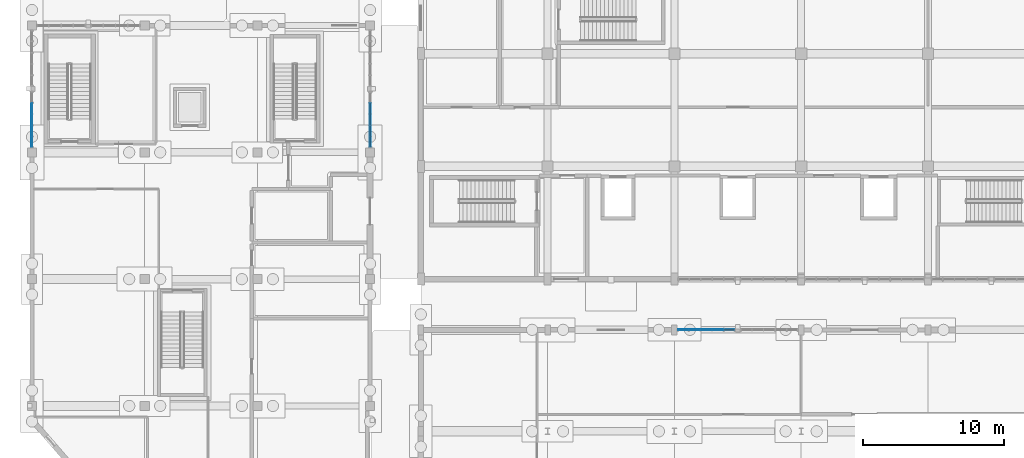
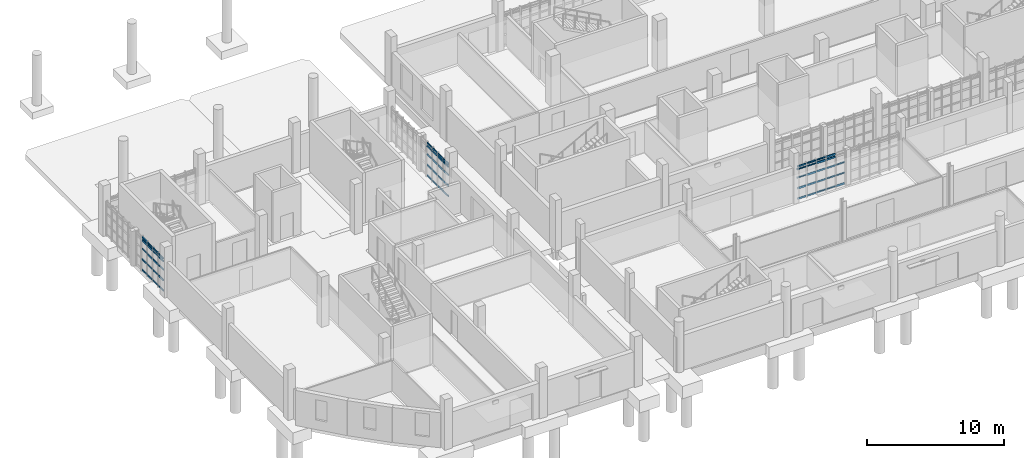
# One storey, part 21 of 63: 63 members, 3 elements without a shape of their own.
"""IFC4 building model written with IfcOpenShell, lengths in metres."""

from ifc_helpers import new_model, si_unit, direction, frame, origin, origin_2d, place, context, subcontext, project, spatial, rectangle, extrude, material, material_profile, profile_set, type_object, element, aggregate, save


model = new_model("IFC4")

# Units and contexts
model_context = context("Model", 3, precision=1e-05, world=origin(), true_north=direction((0.0, 1.0)))
body_context = subcontext(model_context, "Body", "Model", "MODEL_VIEW")
ifc_project = project(units=[si_unit("LENGTHUNIT", "METRE"), si_unit("AREAUNIT", "SQUARE_METRE"), si_unit("VOLUMEUNIT", "CUBIC_METRE"), si_unit("PLANEANGLEUNIT", "RADIAN"), si_unit("MASSUNIT", "GRAM", prefix="KILO")], contexts=[model_context])

# Site, building, storey
site_placement = place(None, origin())
site = spatial("IfcSite", under=ifc_project, at=site_placement, CompositionType="ELEMENT")
building_placement = place(site_placement, origin())
building = spatial("IfcBuilding", under=site, at=building_placement, Name="Serraforn Aerial Cableway Station", CompositionType="ELEMENT")
storey_placement = place(building_placement, origin())
storey = spatial("IfcBuildingStorey", under=building, at=storey_placement, Name="L00", CompositionType="ELEMENT", Elevation=0.0)

# Curtain wall, members
ifc_material_1 = material(Name="Anodised bronze unitised curtain wall")
curtain_wall_type_1 = type_object("IfcCurtainWallType", Name="CW-SYS-8", PredefinedType="USERDEFINED", material=ifc_material_1)
curtain_wall_1_placement = place(storey_placement, origin())
curtain_wall_1 = element("IfcCurtainWall", 1, at=curtain_wall_1_placement, inside=storey, type_object=curtain_wall_type_1, Name="Unitised Curtain Wall CW-W-L00-W4B", ObjectType="UNITISED CURTAIN WALL", PredefinedType="USERDEFINED")
ifc_material_2 = material(Name="Anodised bronze extruded aluminium", Category="aluminium")
ifc_material_profile_1 = material_profile(ifc_material_2, rectangle(XDim=0.054931640625, YDim=0.110107421875, at=origin_2d()), Name="CW TRANSOM 55x110")
ifc_profile_set_1 = profile_set([ifc_material_profile_1], Name="Anodised bronze extruded aluminium")
member_type_1 = type_object("IfcMemberType", Name="CW-TRN-1", PredefinedType="USERDEFINED", material=ifc_profile_set_1)
member_1_placement = place(storey_placement, frame((0.0, 30.485107421875, 0.124755859375), z_axis=(0.0, -1.0, 0.0), x_axis=(1.0, 0.0, 0.0)))
member_1 = element("IfcMember", 2, at=member_1_placement, type_object=member_type_1, Name="Curtain Wall Transom CW-W-L00-W4B-T2-1", ObjectType="TRANSOM", PredefinedType="USERDEFINED", context=body_context, shape_type="SweptSolid", body=[
    extrude(rectangle(XDim=0.054931640625, YDim=0.110107421875, at=origin_2d()), origin(), (0.0, 0.0, 1.0), 0.738525390625),
])
member_2_placement = place(storey_placement, frame((0.0, 29.69580078125, 2.9951171875), z_axis=(0.0, -1.0, 0.0), x_axis=(1.0, 0.0, 0.0)))
member_2 = element("IfcMember", 3, at=member_2_placement, type_object=member_type_1, Name="Curtain Wall Transom CW-W-L00-W4B-T3-5", ObjectType="TRANSOM", PredefinedType="USERDEFINED", context=body_context, shape_type="SweptSolid", body=[
    extrude(rectangle(XDim=0.054931640625, YDim=0.110107421875, at=origin_2d()), origin(), (0.0, 0.0, 1.0), 0.74609375),
])
member_3_placement = place(storey_placement, frame((0.0, 28.893798828125, 2.74560546875), z_axis=(0.0, -1.0, 0.0), x_axis=(1.0, 0.0, 0.0)))
member_3 = element("IfcMember", 4, at=member_3_placement, type_object=member_type_1, Name="Curtain Wall Transom CW-W-L00-W4B-T4-4", ObjectType="TRANSOM", PredefinedType="USERDEFINED", context=body_context, shape_type="SweptSolid", body=[
    extrude(rectangle(XDim=0.054931640625, YDim=0.110107421875, at=origin_2d()), origin(), (0.0, 0.0, 1.0), 0.740966796875),
])
member_4_placement = place(storey_placement, frame((0.0, 28.091796875, 1.996826171875), z_axis=(0.0, -1.0, 0.0), x_axis=(1.0, 0.0, 0.0)))
member_4 = element("IfcMember", 5, at=member_4_placement, type_object=member_type_1, Name="Curtain Wall Transom CW-W-L00-W4B-T5-3", ObjectType="TRANSOM", PredefinedType="USERDEFINED", context=body_context, shape_type="SweptSolid", body=[
    extrude(rectangle(XDim=0.054931640625, YDim=0.110107421875, at=origin_2d()), origin(), (0.0, 0.0, 1.0), 0.70068359375),
])

curtain_wall_type_2 = type_object("IfcCurtainWallType", Name="CW-SYS-9", PredefinedType="USERDEFINED", material=ifc_material_1)
curtain_wall_2_placement = place(storey_placement, origin())
curtain_wall_2 = element("IfcCurtainWall", 6, at=curtain_wall_2_placement, inside=storey, type_object=curtain_wall_type_2, Name="Unitised Curtain Wall CW-W-L00-E4A", ObjectType="UNITISED CURTAIN WALL", PredefinedType="USERDEFINED")
member_5_placement = place(storey_placement, frame((24.0, 27.39599609375, 0.124755859375), z_axis=(0.0, 1.0, 0.0), x_axis=(-1.0, 0.0, 0.0)))
member_5 = element("IfcMember", 7, at=member_5_placement, type_object=member_type_1, Name="Curtain Wall Transom CW-W-L00-E4A-T1-1", ObjectType="TRANSOM", PredefinedType="USERDEFINED", context=body_context, shape_type="SweptSolid", body=[
    extrude(rectangle(XDim=0.054931640625, YDim=0.110107421875, at=origin_2d()), origin(), (0.0, 0.0, 1.0), 0.700927734375),
])
member_6_placement = place(storey_placement, frame((24.0, 28.14794921875, 2.9951171875), z_axis=(0.0, 1.0, 0.0), x_axis=(-1.0, 0.0, 0.0)))
member_6 = element("IfcMember", 8, at=member_6_placement, type_object=member_type_1, Name="Curtain Wall Transom CW-W-L00-E4A-T2-5", ObjectType="TRANSOM", PredefinedType="USERDEFINED", context=body_context, shape_type="SweptSolid", body=[
    extrude(rectangle(XDim=0.054931640625, YDim=0.110107421875, at=origin_2d()), origin(), (0.0, 0.0, 1.0), 0.745849609375),
])
member_7_placement = place(storey_placement, frame((24.0, 28.94970703125, 2.74560546875), z_axis=(0.0, 1.0, 0.0), x_axis=(-1.0, 0.0, 0.0)))
member_7 = element("IfcMember", 9, at=member_7_placement, type_object=member_type_1, Name="Curtain Wall Transom CW-W-L00-E4A-T3-4", ObjectType="TRANSOM", PredefinedType="USERDEFINED", context=body_context, shape_type="SweptSolid", body=[
    extrude(rectangle(XDim=0.054931640625, YDim=0.110107421875, at=origin_2d()), origin(), (0.0, 0.0, 1.0), 0.740966796875),
])
member_8_placement = place(storey_placement, frame((24.0, 29.751708984375, 1.996826171875), z_axis=(0.0, 1.0, 0.0), x_axis=(-1.0, 0.0, 0.0)))
member_8 = element("IfcMember", 10, at=member_8_placement, type_object=member_type_1, Name="Curtain Wall Transom CW-W-L00-E4A-T4-3", ObjectType="TRANSOM", PredefinedType="USERDEFINED", context=body_context, shape_type="SweptSolid", body=[
    extrude(rectangle(XDim=0.054931640625, YDim=0.110107421875, at=origin_2d()), origin(), (0.0, 0.0, 1.0), 0.73583984375),
])

curtain_wall_type_3 = type_object("IfcCurtainWallType", Name="CW-SYS-20", PredefinedType="USERDEFINED", material=ifc_material_1)
curtain_wall_3_placement = place(storey_placement, origin())
curtain_wall_3 = element("IfcCurtainWall", 11, at=curtain_wall_3_placement, inside=storey, type_object=curtain_wall_type_3, Name="Unitised Curtain Wall CW-CF-L00-N3B", ObjectType="UNITISED CURTAIN WALL", PredefinedType="USERDEFINED")
member_9_placement = place(storey_placement, frame((49.85205078125, 14.39990234375, 1.060791015625), z_axis=(-1.0, 0.0, 0.0), x_axis=(0.0, -1.0, 0.0)))
member_9 = element("IfcMember", 12, at=member_9_placement, type_object=member_type_1, Name="Curtain Wall Transom CW-CF-L00-N3B-T1-2", ObjectType="TRANSOM", PredefinedType="USERDEFINED", context=body_context, shape_type="SweptSolid", body=[
    extrude(rectangle(XDim=0.054931640625, YDim=0.110107421875, at=origin_2d()), origin(), (0.0, 0.0, 1.0), 0.720947265625),
])
member_10_placement = place(storey_placement, frame((49.06005859375, 14.39990234375, 0.124755859375), z_axis=(-1.0, 0.0, 0.0), x_axis=(0.0, -1.0, 0.0)))
member_10 = element("IfcMember", 13, at=member_10_placement, type_object=member_type_1, Name="Curtain Wall Transom CW-CF-L00-N3B-T2-1", ObjectType="TRANSOM", PredefinedType="USERDEFINED", context=body_context, shape_type="SweptSolid", body=[
    extrude(rectangle(XDim=0.054931640625, YDim=0.110107421875, at=origin_2d()), origin(), (0.0, 0.0, 1.0), 0.763427734375),
])
member_11_placement = place(storey_placement, frame((48.24560546875, 14.39990234375, 2.9951171875), z_axis=(-1.0, 0.0, 0.0), x_axis=(0.0, -1.0, 0.0)))
member_11 = element("IfcMember", 14, at=member_11_placement, type_object=member_type_1, Name="Curtain Wall Transom CW-CF-L00-N3B-T3-5", ObjectType="TRANSOM", PredefinedType="USERDEFINED", context=body_context, shape_type="SweptSolid", body=[
    extrude(rectangle(XDim=0.054931640625, YDim=0.110107421875, at=origin_2d()), origin(), (0.0, 0.0, 1.0), 0.770751953125),
])
member_12_placement = place(storey_placement, frame((47.418701171875, 14.39990234375, 2.74560546875), z_axis=(-1.0, 0.0, 0.0), x_axis=(0.0, -1.0, 0.0)))
member_12 = element("IfcMember", 15, at=member_12_placement, type_object=member_type_1, Name="Curtain Wall Transom CW-CF-L00-N3B-T4-4", ObjectType="TRANSOM", PredefinedType="USERDEFINED", context=body_context, shape_type="SweptSolid", body=[
    extrude(rectangle(XDim=0.054931640625, YDim=0.110107421875, at=origin_2d()), origin(), (0.0, 0.0, 1.0), 0.765869140625),
])
member_13_placement = place(storey_placement, frame((46.591796875, 14.39990234375, 1.996826171875), z_axis=(-1.0, 0.0, 0.0), x_axis=(0.0, -1.0, 0.0)))
member_13 = element("IfcMember", 16, at=member_13_placement, type_object=member_type_1, Name="Curtain Wall Transom CW-CF-L00-N3B-T5-3", ObjectType="TRANSOM", PredefinedType="USERDEFINED", context=body_context, shape_type="SweptSolid", body=[
    extrude(rectangle(XDim=0.054931640625, YDim=0.110107421875, at=origin_2d()), origin(), (0.0, 0.0, 1.0), 0.725830078125),
])

# Member
ifc_material_profile_2 = material_profile(ifc_material_2, rectangle(XDim=0.06005859375, YDim=0.1201171875, at=origin_2d()), Name="CW TRANSOM 60x120")
ifc_profile_set_2 = profile_set([ifc_material_profile_2], Name="Anodised bronze extruded aluminium")
member_type_2 = type_object("IfcMemberType", Name="CW-TRN-2", PredefinedType="USERDEFINED", material=ifc_profile_set_2)
member_14_placement = place(storey_placement, frame((0.0, 30.485107421875, 1.060791015625), z_axis=(0.0, -1.0, 0.0), x_axis=(1.0, 0.0, 0.0)))
member_14 = element("IfcMember", 17, at=member_14_placement, type_object=member_type_2, Name="Curtain Wall Transom CW-W-L00-W4B-T2-2", ObjectType="TRANSOM", PredefinedType="USERDEFINED", context=body_context, shape_type="SweptSolid", body=[
    extrude(rectangle(XDim=0.06005859375, YDim=0.1201171875, at=origin_2d()), origin(), (0.0, 0.0, 1.0), 0.738525390625),
])

member_15_placement = place(storey_placement, frame((0.0, 29.69580078125, 0.124755859375), z_axis=(0.0, -1.0, 0.0), x_axis=(1.0, 0.0, 0.0)))
member_15 = element("IfcMember", 18, at=member_15_placement, type_object=member_type_2, Name="Curtain Wall Transom CW-W-L00-W4B-T3-1", ObjectType="TRANSOM", PredefinedType="USERDEFINED", context=body_context, shape_type="SweptSolid", body=[
    extrude(rectangle(XDim=0.06005859375, YDim=0.1201171875, at=origin_2d()), origin(), (0.0, 0.0, 1.0), 0.74609375),
])

member_16_placement = place(storey_placement, frame((0.0, 28.893798828125, 2.9951171875), z_axis=(0.0, -1.0, 0.0), x_axis=(1.0, 0.0, 0.0)))
member_16 = element("IfcMember", 19, at=member_16_placement, type_object=member_type_2, Name="Curtain Wall Transom CW-W-L00-W4B-T4-5", ObjectType="TRANSOM", PredefinedType="USERDEFINED", context=body_context, shape_type="SweptSolid", body=[
    extrude(rectangle(XDim=0.06005859375, YDim=0.1201171875, at=origin_2d()), origin(), (0.0, 0.0, 1.0), 0.740966796875),
])

member_17_placement = place(storey_placement, frame((0.0, 28.091796875, 2.74560546875), z_axis=(0.0, -1.0, 0.0), x_axis=(1.0, 0.0, 0.0)))
member_17 = element("IfcMember", 20, at=member_17_placement, type_object=member_type_2, Name="Curtain Wall Transom CW-W-L00-W4B-T5-4", ObjectType="TRANSOM", PredefinedType="USERDEFINED", context=body_context, shape_type="SweptSolid", body=[
    extrude(rectangle(XDim=0.06005859375, YDim=0.1201171875, at=origin_2d()), origin(), (0.0, 0.0, 1.0), 0.70068359375),
])

member_18_placement = place(storey_placement, frame((24.0, 27.39599609375, 1.060791015625), z_axis=(0.0, 1.0, 0.0), x_axis=(-1.0, 0.0, 0.0)))
member_18 = element("IfcMember", 21, at=member_18_placement, type_object=member_type_2, Name="Curtain Wall Transom CW-W-L00-E4A-T1-2", ObjectType="TRANSOM", PredefinedType="USERDEFINED", context=body_context, shape_type="SweptSolid", body=[
    extrude(rectangle(XDim=0.06005859375, YDim=0.1201171875, at=origin_2d()), origin(), (0.0, 0.0, 1.0), 0.700927734375),
])

member_19_placement = place(storey_placement, frame((24.0, 28.14794921875, 0.124755859375), z_axis=(0.0, 1.0, 0.0), x_axis=(-1.0, 0.0, 0.0)))
member_19 = element("IfcMember", 22, at=member_19_placement, type_object=member_type_2, Name="Curtain Wall Transom CW-W-L00-E4A-T2-1", ObjectType="TRANSOM", PredefinedType="USERDEFINED", context=body_context, shape_type="SweptSolid", body=[
    extrude(rectangle(XDim=0.06005859375, YDim=0.1201171875, at=origin_2d()), origin(), (0.0, 0.0, 1.0), 0.745849609375),
])

member_20_placement = place(storey_placement, frame((24.0, 28.94970703125, 2.9951171875), z_axis=(0.0, 1.0, 0.0), x_axis=(-1.0, 0.0, 0.0)))
member_20 = element("IfcMember", 23, at=member_20_placement, type_object=member_type_2, Name="Curtain Wall Transom CW-W-L00-E4A-T3-5", ObjectType="TRANSOM", PredefinedType="USERDEFINED", context=body_context, shape_type="SweptSolid", body=[
    extrude(rectangle(XDim=0.06005859375, YDim=0.1201171875, at=origin_2d()), origin(), (0.0, 0.0, 1.0), 0.740966796875),
])

member_21_placement = place(storey_placement, frame((24.0, 29.751708984375, 2.74560546875), z_axis=(0.0, 1.0, 0.0), x_axis=(-1.0, 0.0, 0.0)))
member_21 = element("IfcMember", 24, at=member_21_placement, type_object=member_type_2, Name="Curtain Wall Transom CW-W-L00-E4A-T4-4", ObjectType="TRANSOM", PredefinedType="USERDEFINED", context=body_context, shape_type="SweptSolid", body=[
    extrude(rectangle(XDim=0.06005859375, YDim=0.1201171875, at=origin_2d()), origin(), (0.0, 0.0, 1.0), 0.73583984375),
])

member_22_placement = place(storey_placement, frame((49.85205078125, 14.39990234375, 1.996826171875), z_axis=(-1.0, 0.0, 0.0), x_axis=(0.0, -1.0, 0.0)))
member_22 = element("IfcMember", 25, at=member_22_placement, type_object=member_type_2, Name="Curtain Wall Transom CW-CF-L00-N3B-T1-3", ObjectType="TRANSOM", PredefinedType="USERDEFINED", context=body_context, shape_type="SweptSolid", body=[
    extrude(rectangle(XDim=0.06005859375, YDim=0.1201171875, at=origin_2d()), origin(), (0.0, 0.0, 1.0), 0.720947265625),
])

member_23_placement = place(storey_placement, frame((49.06005859375, 14.39990234375, 1.060791015625), z_axis=(-1.0, 0.0, 0.0), x_axis=(0.0, -1.0, 0.0)))
member_23 = element("IfcMember", 26, at=member_23_placement, type_object=member_type_2, Name="Curtain Wall Transom CW-CF-L00-N3B-T2-2", ObjectType="TRANSOM", PredefinedType="USERDEFINED", context=body_context, shape_type="SweptSolid", body=[
    extrude(rectangle(XDim=0.06005859375, YDim=0.1201171875, at=origin_2d()), origin(), (0.0, 0.0, 1.0), 0.763427734375),
])

member_24_placement = place(storey_placement, frame((48.24560546875, 14.39990234375, 0.124755859375), z_axis=(-1.0, 0.0, 0.0), x_axis=(0.0, -1.0, 0.0)))
member_24 = element("IfcMember", 27, at=member_24_placement, type_object=member_type_2, Name="Curtain Wall Transom CW-CF-L00-N3B-T3-1", ObjectType="TRANSOM", PredefinedType="USERDEFINED", context=body_context, shape_type="SweptSolid", body=[
    extrude(rectangle(XDim=0.06005859375, YDim=0.1201171875, at=origin_2d()), origin(), (0.0, 0.0, 1.0), 0.770751953125),
])

member_25_placement = place(storey_placement, frame((47.418701171875, 14.39990234375, 2.9951171875), z_axis=(-1.0, 0.0, 0.0), x_axis=(0.0, -1.0, 0.0)))
member_25 = element("IfcMember", 28, at=member_25_placement, type_object=member_type_2, Name="Curtain Wall Transom CW-CF-L00-N3B-T4-5", ObjectType="TRANSOM", PredefinedType="USERDEFINED", context=body_context, shape_type="SweptSolid", body=[
    extrude(rectangle(XDim=0.06005859375, YDim=0.1201171875, at=origin_2d()), origin(), (0.0, 0.0, 1.0), 0.765869140625),
])

member_26_placement = place(storey_placement, frame((46.591796875, 14.39990234375, 2.74560546875), z_axis=(-1.0, 0.0, 0.0), x_axis=(0.0, -1.0, 0.0)))
member_26 = element("IfcMember", 29, at=member_26_placement, type_object=member_type_2, Name="Curtain Wall Transom CW-CF-L00-N3B-T5-4", ObjectType="TRANSOM", PredefinedType="USERDEFINED", context=body_context, shape_type="SweptSolid", body=[
    extrude(rectangle(XDim=0.06005859375, YDim=0.1201171875, at=origin_2d()), origin(), (0.0, 0.0, 1.0), 0.725830078125),
])

ifc_material_profile_3 = material_profile(ifc_material_2, rectangle(XDim=0.06494140625, YDim=0.135009765625, at=origin_2d()), Name="CW TRANSOM 65x135")
ifc_profile_set_3 = profile_set([ifc_material_profile_3], Name="Anodised bronze extruded aluminium")
member_type_3 = type_object("IfcMemberType", Name="CW-TRN-3", PredefinedType="USERDEFINED", material=ifc_profile_set_3)
member_27_placement = place(storey_placement, frame((0.0, 30.485107421875, 1.996826171875), z_axis=(0.0, -1.0, 0.0), x_axis=(1.0, 0.0, 0.0)))
member_27 = element("IfcMember", 30, at=member_27_placement, type_object=member_type_3, Name="Curtain Wall Transom CW-W-L00-W4B-T2-3", ObjectType="TRANSOM", PredefinedType="USERDEFINED", context=body_context, shape_type="SweptSolid", body=[
    extrude(rectangle(XDim=0.06494140625, YDim=0.135009765625, at=origin_2d()), origin(), (0.0, 0.0, 1.0), 0.738525390625),
])

member_28_placement = place(storey_placement, frame((0.0, 29.69580078125, 1.060791015625), z_axis=(0.0, -1.0, 0.0), x_axis=(1.0, 0.0, 0.0)))
member_28 = element("IfcMember", 31, at=member_28_placement, type_object=member_type_3, Name="Curtain Wall Transom CW-W-L00-W4B-T3-2", ObjectType="TRANSOM", PredefinedType="USERDEFINED", context=body_context, shape_type="SweptSolid", body=[
    extrude(rectangle(XDim=0.06494140625, YDim=0.135009765625, at=origin_2d()), origin(), (0.0, 0.0, 1.0), 0.74609375),
])

member_29_placement = place(storey_placement, frame((0.0, 28.893798828125, 0.124755859375), z_axis=(0.0, -1.0, 0.0), x_axis=(1.0, 0.0, 0.0)))
member_29 = element("IfcMember", 32, at=member_29_placement, type_object=member_type_3, Name="Curtain Wall Transom CW-W-L00-W4B-T4-1", ObjectType="TRANSOM", PredefinedType="USERDEFINED", context=body_context, shape_type="SweptSolid", body=[
    extrude(rectangle(XDim=0.06494140625, YDim=0.135009765625, at=origin_2d()), origin(), (0.0, 0.0, 1.0), 0.740966796875),
])

member_30_placement = place(storey_placement, frame((0.0, 28.091796875, 2.9951171875), z_axis=(0.0, -1.0, 0.0), x_axis=(1.0, 0.0, 0.0)))
member_30 = element("IfcMember", 33, at=member_30_placement, type_object=member_type_3, Name="Curtain Wall Transom CW-W-L00-W4B-T5-5", ObjectType="TRANSOM", PredefinedType="USERDEFINED", context=body_context, shape_type="SweptSolid", body=[
    extrude(rectangle(XDim=0.06494140625, YDim=0.135009765625, at=origin_2d()), origin(), (0.0, 0.0, 1.0), 0.70068359375),
])

member_31_placement = place(storey_placement, frame((24.0, 27.39599609375, 1.996826171875), z_axis=(0.0, 1.0, 0.0), x_axis=(-1.0, 0.0, 0.0)))
member_31 = element("IfcMember", 34, at=member_31_placement, type_object=member_type_3, Name="Curtain Wall Transom CW-W-L00-E4A-T1-3", ObjectType="TRANSOM", PredefinedType="USERDEFINED", context=body_context, shape_type="SweptSolid", body=[
    extrude(rectangle(XDim=0.06494140625, YDim=0.135009765625, at=origin_2d()), origin(), (0.0, 0.0, 1.0), 0.700927734375),
])

member_32_placement = place(storey_placement, frame((24.0, 28.14794921875, 1.060791015625), z_axis=(0.0, 1.0, 0.0), x_axis=(-1.0, 0.0, 0.0)))
member_32 = element("IfcMember", 35, at=member_32_placement, type_object=member_type_3, Name="Curtain Wall Transom CW-W-L00-E4A-T2-2", ObjectType="TRANSOM", PredefinedType="USERDEFINED", context=body_context, shape_type="SweptSolid", body=[
    extrude(rectangle(XDim=0.06494140625, YDim=0.135009765625, at=origin_2d()), origin(), (0.0, 0.0, 1.0), 0.745849609375),
])

member_33_placement = place(storey_placement, frame((24.0, 28.94970703125, 0.124755859375), z_axis=(0.0, 1.0, 0.0), x_axis=(-1.0, 0.0, 0.0)))
member_33 = element("IfcMember", 36, at=member_33_placement, type_object=member_type_3, Name="Curtain Wall Transom CW-W-L00-E4A-T3-1", ObjectType="TRANSOM", PredefinedType="USERDEFINED", context=body_context, shape_type="SweptSolid", body=[
    extrude(rectangle(XDim=0.06494140625, YDim=0.135009765625, at=origin_2d()), origin(), (0.0, 0.0, 1.0), 0.740966796875),
])

member_34_placement = place(storey_placement, frame((24.0, 29.751708984375, 2.9951171875), z_axis=(0.0, 1.0, 0.0), x_axis=(-1.0, 0.0, 0.0)))
member_34 = element("IfcMember", 37, at=member_34_placement, type_object=member_type_3, Name="Curtain Wall Transom CW-W-L00-E4A-T4-5", ObjectType="TRANSOM", PredefinedType="USERDEFINED", context=body_context, shape_type="SweptSolid", body=[
    extrude(rectangle(XDim=0.06494140625, YDim=0.135009765625, at=origin_2d()), origin(), (0.0, 0.0, 1.0), 0.73583984375),
])

member_35_placement = place(storey_placement, frame((49.06005859375, 14.39990234375, 1.996826171875), z_axis=(-1.0, 0.0, 0.0), x_axis=(0.0, -1.0, 0.0)))
member_35 = element("IfcMember", 38, at=member_35_placement, type_object=member_type_3, Name="Curtain Wall Transom CW-CF-L00-N3B-T2-3", ObjectType="TRANSOM", PredefinedType="USERDEFINED", context=body_context, shape_type="SweptSolid", body=[
    extrude(rectangle(XDim=0.06494140625, YDim=0.135009765625, at=origin_2d()), origin(), (0.0, 0.0, 1.0), 0.763427734375),
])

member_36_placement = place(storey_placement, frame((48.24560546875, 14.39990234375, 1.060791015625), z_axis=(-1.0, 0.0, 0.0), x_axis=(0.0, -1.0, 0.0)))
member_36 = element("IfcMember", 39, at=member_36_placement, type_object=member_type_3, Name="Curtain Wall Transom CW-CF-L00-N3B-T3-2", ObjectType="TRANSOM", PredefinedType="USERDEFINED", context=body_context, shape_type="SweptSolid", body=[
    extrude(rectangle(XDim=0.06494140625, YDim=0.135009765625, at=origin_2d()), origin(), (0.0, 0.0, 1.0), 0.770751953125),
])

member_37_placement = place(storey_placement, frame((47.418701171875, 14.39990234375, 0.124755859375), z_axis=(-1.0, 0.0, 0.0), x_axis=(0.0, -1.0, 0.0)))
member_37 = element("IfcMember", 40, at=member_37_placement, type_object=member_type_3, Name="Curtain Wall Transom CW-CF-L00-N3B-T4-1", ObjectType="TRANSOM", PredefinedType="USERDEFINED", context=body_context, shape_type="SweptSolid", body=[
    extrude(rectangle(XDim=0.06494140625, YDim=0.135009765625, at=origin_2d()), origin(), (0.0, 0.0, 1.0), 0.765869140625),
])

member_38_placement = place(storey_placement, frame((46.591796875, 14.39990234375, 2.9951171875), z_axis=(-1.0, 0.0, 0.0), x_axis=(0.0, -1.0, 0.0)))
member_38 = element("IfcMember", 41, at=member_38_placement, type_object=member_type_3, Name="Curtain Wall Transom CW-CF-L00-N3B-T5-5", ObjectType="TRANSOM", PredefinedType="USERDEFINED", context=body_context, shape_type="SweptSolid", body=[
    extrude(rectangle(XDim=0.06494140625, YDim=0.135009765625, at=origin_2d()), origin(), (0.0, 0.0, 1.0), 0.725830078125),
])

ifc_material_profile_4 = material_profile(ifc_material_2, rectangle(XDim=0.070068359375, YDim=0.14990234375, at=origin_2d()), Name="CW TRANSOM 70x150")
ifc_profile_set_4 = profile_set([ifc_material_profile_4], Name="Anodised bronze extruded aluminium")
member_type_4 = type_object("IfcMemberType", Name="CW-TRN-4", PredefinedType="USERDEFINED", material=ifc_profile_set_4)
member_39_placement = place(storey_placement, frame((0.0, 30.485107421875, 2.74560546875), z_axis=(0.0, -1.0, 0.0), x_axis=(1.0, 0.0, 0.0)))
member_39 = element("IfcMember", 42, at=member_39_placement, type_object=member_type_4, Name="Curtain Wall Transom CW-W-L00-W4B-T2-4", ObjectType="TRANSOM", PredefinedType="USERDEFINED", context=body_context, shape_type="SweptSolid", body=[
    extrude(rectangle(XDim=0.070068359375, YDim=0.14990234375, at=origin_2d()), origin(), (0.0, 0.0, 1.0), 0.738525390625),
])

member_40_placement = place(storey_placement, frame((0.0, 29.69580078125, 1.996826171875), z_axis=(0.0, -1.0, 0.0), x_axis=(1.0, 0.0, 0.0)))
member_40 = element("IfcMember", 43, at=member_40_placement, type_object=member_type_4, Name="Curtain Wall Transom CW-W-L00-W4B-T3-3", ObjectType="TRANSOM", PredefinedType="USERDEFINED", context=body_context, shape_type="SweptSolid", body=[
    extrude(rectangle(XDim=0.070068359375, YDim=0.14990234375, at=origin_2d()), origin(), (0.0, 0.0, 1.0), 0.74609375),
])

member_41_placement = place(storey_placement, frame((0.0, 28.893798828125, 1.060791015625), z_axis=(0.0, -1.0, 0.0), x_axis=(1.0, 0.0, 0.0)))
member_41 = element("IfcMember", 44, at=member_41_placement, type_object=member_type_4, Name="Curtain Wall Transom CW-W-L00-W4B-T4-2", ObjectType="TRANSOM", PredefinedType="USERDEFINED", context=body_context, shape_type="SweptSolid", body=[
    extrude(rectangle(XDim=0.070068359375, YDim=0.14990234375, at=origin_2d()), origin(), (0.0, 0.0, 1.0), 0.740966796875),
])

member_42_placement = place(storey_placement, frame((0.0, 28.091796875, 0.124755859375), z_axis=(0.0, -1.0, 0.0), x_axis=(1.0, 0.0, 0.0)))
member_42 = element("IfcMember", 45, at=member_42_placement, type_object=member_type_4, Name="Curtain Wall Transom CW-W-L00-W4B-T5-1", ObjectType="TRANSOM", PredefinedType="USERDEFINED", context=body_context, shape_type="SweptSolid", body=[
    extrude(rectangle(XDim=0.070068359375, YDim=0.14990234375, at=origin_2d()), origin(), (0.0, 0.0, 1.0), 0.70068359375),
])

member_43_placement = place(storey_placement, frame((24.0, 27.39599609375, 2.74560546875), z_axis=(0.0, 1.0, 0.0), x_axis=(-1.0, 0.0, 0.0)))
member_43 = element("IfcMember", 46, at=member_43_placement, type_object=member_type_4, Name="Curtain Wall Transom CW-W-L00-E4A-T1-4", ObjectType="TRANSOM", PredefinedType="USERDEFINED", context=body_context, shape_type="SweptSolid", body=[
    extrude(rectangle(XDim=0.070068359375, YDim=0.14990234375, at=origin_2d()), origin(), (0.0, 0.0, 1.0), 0.700927734375),
])

member_44_placement = place(storey_placement, frame((24.0, 28.14794921875, 1.996826171875), z_axis=(0.0, 1.0, 0.0), x_axis=(-1.0, 0.0, 0.0)))
member_44 = element("IfcMember", 47, at=member_44_placement, type_object=member_type_4, Name="Curtain Wall Transom CW-W-L00-E4A-T2-3", ObjectType="TRANSOM", PredefinedType="USERDEFINED", context=body_context, shape_type="SweptSolid", body=[
    extrude(rectangle(XDim=0.070068359375, YDim=0.14990234375, at=origin_2d()), origin(), (0.0, 0.0, 1.0), 0.745849609375),
])

member_45_placement = place(storey_placement, frame((24.0, 28.94970703125, 1.060791015625), z_axis=(0.0, 1.0, 0.0), x_axis=(-1.0, 0.0, 0.0)))
member_45 = element("IfcMember", 48, at=member_45_placement, type_object=member_type_4, Name="Curtain Wall Transom CW-W-L00-E4A-T3-2", ObjectType="TRANSOM", PredefinedType="USERDEFINED", context=body_context, shape_type="SweptSolid", body=[
    extrude(rectangle(XDim=0.070068359375, YDim=0.14990234375, at=origin_2d()), origin(), (0.0, 0.0, 1.0), 0.740966796875),
])

member_46_placement = place(storey_placement, frame((24.0, 29.751708984375, 0.124755859375), z_axis=(0.0, 1.0, 0.0), x_axis=(-1.0, 0.0, 0.0)))
member_46 = element("IfcMember", 49, at=member_46_placement, type_object=member_type_4, Name="Curtain Wall Transom CW-W-L00-E4A-T4-1", ObjectType="TRANSOM", PredefinedType="USERDEFINED", context=body_context, shape_type="SweptSolid", body=[
    extrude(rectangle(XDim=0.070068359375, YDim=0.14990234375, at=origin_2d()), origin(), (0.0, 0.0, 1.0), 0.73583984375),
])

member_47_placement = place(storey_placement, frame((49.06005859375, 14.39990234375, 2.74560546875), z_axis=(-1.0, 0.0, 0.0), x_axis=(0.0, -1.0, 0.0)))
member_47 = element("IfcMember", 50, at=member_47_placement, type_object=member_type_4, Name="Curtain Wall Transom CW-CF-L00-N3B-T2-4", ObjectType="TRANSOM", PredefinedType="USERDEFINED", context=body_context, shape_type="SweptSolid", body=[
    extrude(rectangle(XDim=0.070068359375, YDim=0.14990234375, at=origin_2d()), origin(), (0.0, 0.0, 1.0), 0.763427734375),
])

member_48_placement = place(storey_placement, frame((48.24560546875, 14.39990234375, 1.996826171875), z_axis=(-1.0, 0.0, 0.0), x_axis=(0.0, -1.0, 0.0)))
member_48 = element("IfcMember", 51, at=member_48_placement, type_object=member_type_4, Name="Curtain Wall Transom CW-CF-L00-N3B-T3-3", ObjectType="TRANSOM", PredefinedType="USERDEFINED", context=body_context, shape_type="SweptSolid", body=[
    extrude(rectangle(XDim=0.070068359375, YDim=0.14990234375, at=origin_2d()), origin(), (0.0, 0.0, 1.0), 0.770751953125),
])

member_49_placement = place(storey_placement, frame((47.418701171875, 14.39990234375, 1.060791015625), z_axis=(-1.0, 0.0, 0.0), x_axis=(0.0, -1.0, 0.0)))
member_49 = element("IfcMember", 52, at=member_49_placement, type_object=member_type_4, Name="Curtain Wall Transom CW-CF-L00-N3B-T4-2", ObjectType="TRANSOM", PredefinedType="USERDEFINED", context=body_context, shape_type="SweptSolid", body=[
    extrude(rectangle(XDim=0.070068359375, YDim=0.14990234375, at=origin_2d()), origin(), (0.0, 0.0, 1.0), 0.765869140625),
])

member_50_placement = place(storey_placement, frame((46.591796875, 14.39990234375, 0.124755859375), z_axis=(-1.0, 0.0, 0.0), x_axis=(0.0, -1.0, 0.0)))
member_50 = element("IfcMember", 53, at=member_50_placement, type_object=member_type_4, Name="Curtain Wall Transom CW-CF-L00-N3B-T5-1", ObjectType="TRANSOM", PredefinedType="USERDEFINED", context=body_context, shape_type="SweptSolid", body=[
    extrude(rectangle(XDim=0.070068359375, YDim=0.14990234375, at=origin_2d()), origin(), (0.0, 0.0, 1.0), 0.725830078125),
])

ifc_material_profile_5 = material_profile(ifc_material_2, rectangle(XDim=0.074951171875, YDim=0.1650390625, at=origin_2d()), Name="CW TRANSOM 75x165")
ifc_profile_set_5 = profile_set([ifc_material_profile_5], Name="Anodised bronze extruded aluminium")
member_type_5 = type_object("IfcMemberType", Name="CW-TRN-5", PredefinedType="USERDEFINED", material=ifc_profile_set_5)
member_51_placement = place(storey_placement, frame((0.0, 30.485107421875, 2.9951171875), z_axis=(0.0, -1.0, 0.0), x_axis=(1.0, 0.0, 0.0)))
member_51 = element("IfcMember", 54, at=member_51_placement, type_object=member_type_5, Name="Curtain Wall Transom CW-W-L00-W4B-T2-5", ObjectType="TRANSOM", PredefinedType="USERDEFINED", context=body_context, shape_type="SweptSolid", body=[
    extrude(rectangle(XDim=0.074951171875, YDim=0.1650390625, at=origin_2d()), origin(), (0.0, 0.0, 1.0), 0.738525390625),
])

member_52_placement = place(storey_placement, frame((0.0, 29.69580078125, 2.74560546875), z_axis=(0.0, -1.0, 0.0), x_axis=(1.0, 0.0, 0.0)))
member_52 = element("IfcMember", 55, at=member_52_placement, type_object=member_type_5, Name="Curtain Wall Transom CW-W-L00-W4B-T3-4", ObjectType="TRANSOM", PredefinedType="USERDEFINED", context=body_context, shape_type="SweptSolid", body=[
    extrude(rectangle(XDim=0.074951171875, YDim=0.1650390625, at=origin_2d()), origin(), (0.0, 0.0, 1.0), 0.74609375),
])

member_53_placement = place(storey_placement, frame((0.0, 28.893798828125, 1.996826171875), z_axis=(0.0, -1.0, 0.0), x_axis=(1.0, 0.0, 0.0)))
member_53 = element("IfcMember", 56, at=member_53_placement, type_object=member_type_5, Name="Curtain Wall Transom CW-W-L00-W4B-T4-3", ObjectType="TRANSOM", PredefinedType="USERDEFINED", context=body_context, shape_type="SweptSolid", body=[
    extrude(rectangle(XDim=0.074951171875, YDim=0.1650390625, at=origin_2d()), origin(), (0.0, 0.0, 1.0), 0.740966796875),
])

member_54_placement = place(storey_placement, frame((0.0, 28.091796875, 1.060791015625), z_axis=(0.0, -1.0, 0.0), x_axis=(1.0, 0.0, 0.0)))
member_54 = element("IfcMember", 57, at=member_54_placement, type_object=member_type_5, Name="Curtain Wall Transom CW-W-L00-W4B-T5-2", ObjectType="TRANSOM", PredefinedType="USERDEFINED", context=body_context, shape_type="SweptSolid", body=[
    extrude(rectangle(XDim=0.074951171875, YDim=0.1650390625, at=origin_2d()), origin(), (0.0, 0.0, 1.0), 0.70068359375),
])

aggregate(curtain_wall_1, [member_1, member_14, member_27, member_39, member_51, member_15, member_28, member_40, member_52, member_2, member_29, member_41, member_53, member_3, member_16, member_42, member_54, member_4, member_17, member_30])

member_55_placement = place(storey_placement, frame((24.0, 27.39599609375, 2.9951171875), z_axis=(0.0, 1.0, 0.0), x_axis=(-1.0, 0.0, 0.0)))
member_55 = element("IfcMember", 58, at=member_55_placement, type_object=member_type_5, Name="Curtain Wall Transom CW-W-L00-E4A-T1-5", ObjectType="TRANSOM", PredefinedType="USERDEFINED", context=body_context, shape_type="SweptSolid", body=[
    extrude(rectangle(XDim=0.074951171875, YDim=0.1650390625, at=origin_2d()), origin(), (0.0, 0.0, 1.0), 0.700927734375),
])

member_56_placement = place(storey_placement, frame((24.0, 28.14794921875, 2.74560546875), z_axis=(0.0, 1.0, 0.0), x_axis=(-1.0, 0.0, 0.0)))
member_56 = element("IfcMember", 59, at=member_56_placement, type_object=member_type_5, Name="Curtain Wall Transom CW-W-L00-E4A-T2-4", ObjectType="TRANSOM", PredefinedType="USERDEFINED", context=body_context, shape_type="SweptSolid", body=[
    extrude(rectangle(XDim=0.074951171875, YDim=0.1650390625, at=origin_2d()), origin(), (0.0, 0.0, 1.0), 0.745849609375),
])

member_57_placement = place(storey_placement, frame((24.0, 28.94970703125, 1.996826171875), z_axis=(0.0, 1.0, 0.0), x_axis=(-1.0, 0.0, 0.0)))
member_57 = element("IfcMember", 60, at=member_57_placement, type_object=member_type_5, Name="Curtain Wall Transom CW-W-L00-E4A-T3-3", ObjectType="TRANSOM", PredefinedType="USERDEFINED", context=body_context, shape_type="SweptSolid", body=[
    extrude(rectangle(XDim=0.074951171875, YDim=0.1650390625, at=origin_2d()), origin(), (0.0, 0.0, 1.0), 0.740966796875),
])

member_58_placement = place(storey_placement, frame((24.0, 29.751708984375, 1.060791015625), z_axis=(0.0, 1.0, 0.0), x_axis=(-1.0, 0.0, 0.0)))
member_58 = element("IfcMember", 61, at=member_58_placement, type_object=member_type_5, Name="Curtain Wall Transom CW-W-L00-E4A-T4-2", ObjectType="TRANSOM", PredefinedType="USERDEFINED", context=body_context, shape_type="SweptSolid", body=[
    extrude(rectangle(XDim=0.074951171875, YDim=0.1650390625, at=origin_2d()), origin(), (0.0, 0.0, 1.0), 0.73583984375),
])

aggregate(curtain_wall_2, [member_5, member_18, member_31, member_43, member_55, member_19, member_32, member_44, member_56, member_6, member_33, member_45, member_57, member_7, member_20, member_46, member_58, member_8, member_21, member_34])

member_59_placement = place(storey_placement, frame((49.85205078125, 14.39990234375, 0.124755859375), z_axis=(-1.0, 0.0, 0.0), x_axis=(0.0, -1.0, 0.0)))
member_59 = element("IfcMember", 62, at=member_59_placement, type_object=member_type_5, Name="Curtain Wall Transom CW-CF-L00-N3B-T1-1", ObjectType="TRANSOM", PredefinedType="USERDEFINED", context=body_context, shape_type="SweptSolid", body=[
    extrude(rectangle(XDim=0.074951171875, YDim=0.1650390625, at=origin_2d()), origin(), (0.0, 0.0, 1.0), 0.720947265625),
])

member_60_placement = place(storey_placement, frame((49.06005859375, 14.39990234375, 2.9951171875), z_axis=(-1.0, 0.0, 0.0), x_axis=(0.0, -1.0, 0.0)))
member_60 = element("IfcMember", 63, at=member_60_placement, type_object=member_type_5, Name="Curtain Wall Transom CW-CF-L00-N3B-T2-5", ObjectType="TRANSOM", PredefinedType="USERDEFINED", context=body_context, shape_type="SweptSolid", body=[
    extrude(rectangle(XDim=0.074951171875, YDim=0.1650390625, at=origin_2d()), origin(), (0.0, 0.0, 1.0), 0.763427734375),
])

member_61_placement = place(storey_placement, frame((48.24560546875, 14.39990234375, 2.74560546875), z_axis=(-1.0, 0.0, 0.0), x_axis=(0.0, -1.0, 0.0)))
member_61 = element("IfcMember", 64, at=member_61_placement, type_object=member_type_5, Name="Curtain Wall Transom CW-CF-L00-N3B-T3-4", ObjectType="TRANSOM", PredefinedType="USERDEFINED", context=body_context, shape_type="SweptSolid", body=[
    extrude(rectangle(XDim=0.074951171875, YDim=0.1650390625, at=origin_2d()), origin(), (0.0, 0.0, 1.0), 0.770751953125),
])

member_62_placement = place(storey_placement, frame((47.418701171875, 14.39990234375, 1.996826171875), z_axis=(-1.0, 0.0, 0.0), x_axis=(0.0, -1.0, 0.0)))
member_62 = element("IfcMember", 65, at=member_62_placement, type_object=member_type_5, Name="Curtain Wall Transom CW-CF-L00-N3B-T4-3", ObjectType="TRANSOM", PredefinedType="USERDEFINED", context=body_context, shape_type="SweptSolid", body=[
    extrude(rectangle(XDim=0.074951171875, YDim=0.1650390625, at=origin_2d()), origin(), (0.0, 0.0, 1.0), 0.765869140625),
])

member_63_placement = place(storey_placement, frame((46.591796875, 14.39990234375, 1.060791015625), z_axis=(-1.0, 0.0, 0.0), x_axis=(0.0, -1.0, 0.0)))
member_63 = element("IfcMember", 66, at=member_63_placement, type_object=member_type_5, Name="Curtain Wall Transom CW-CF-L00-N3B-T5-2", ObjectType="TRANSOM", PredefinedType="USERDEFINED", context=body_context, shape_type="SweptSolid", body=[
    extrude(rectangle(XDim=0.074951171875, YDim=0.1650390625, at=origin_2d()), origin(), (0.0, 0.0, 1.0), 0.725830078125),
])

aggregate(curtain_wall_3, [member_59, member_9, member_22, member_10, member_23, member_35, member_47, member_60, member_24, member_36, member_48, member_61, member_11, member_37, member_49, member_62, member_12, member_25, member_50, member_63, member_13, member_26, member_38])

save(model, "model.ifc")
